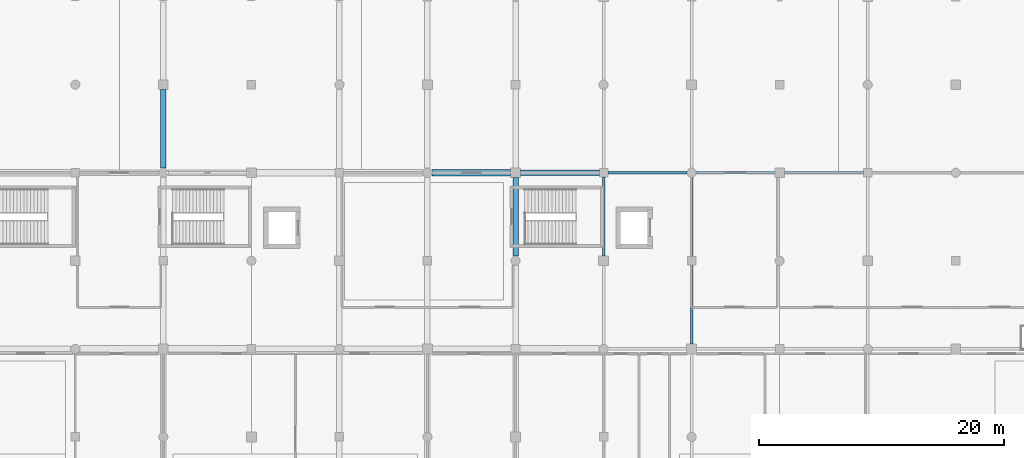
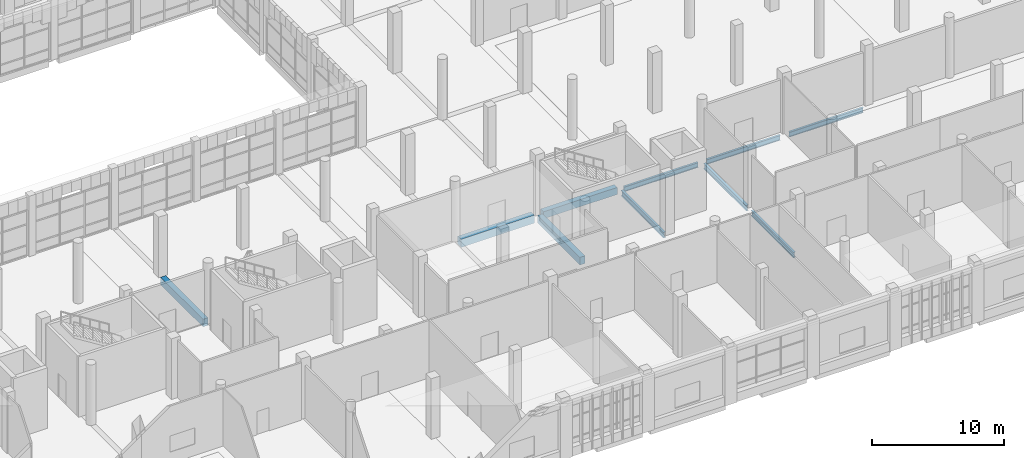
# One storey, part 17 of 80: 10 beams.
"""IFC4 building model written with IfcOpenShell, lengths in metres."""

from ifc_helpers import new_model, si_unit, direction, frame, origin, origin_2d, place, context, subcontext, project, spatial, rectangle, i_section, extrude, material, material_profile, profile_set, type_object, element, save


model = new_model("IFC4")

# Units and contexts
model_context = context("Model", 3, precision=1e-05, world=origin(), true_north=direction((0.0, 1.0)))
body_context = subcontext(model_context, "Body", "Model", "MODEL_VIEW")
ifc_project = project(units=[si_unit("LENGTHUNIT", "METRE"), si_unit("AREAUNIT", "SQUARE_METRE"), si_unit("VOLUMEUNIT", "CUBIC_METRE"), si_unit("PLANEANGLEUNIT", "RADIAN"), si_unit("MASSUNIT", "GRAM", prefix="KILO")], contexts=[model_context])

# Site, building, storey
site_placement = place(None, origin())
site = spatial("IfcSite", under=ifc_project, at=site_placement, CompositionType="ELEMENT")
building_placement = place(site_placement, origin())
building = spatial("IfcBuilding", under=site, at=building_placement, Name="Sardonyx Promenade Sports Hall", CompositionType="ELEMENT")
storey_placement = place(building_placement, frame((0.0, 0.0, 5.60009765625)))
storey = spatial("IfcBuildingStorey", under=building, at=storey_placement, Name="L01", CompositionType="ELEMENT", Elevation=5.60009765625)

# Beams
ifc_material_1 = material(Name="Concrete C40/50", Category="concrete")
ifc_material_profile_1 = material_profile(ifc_material_1, rectangle(XDim=0.5, YDim=0.75, at=origin_2d()))
ifc_profile_set_1 = profile_set([ifc_material_profile_1], Name="Concrete C40/50")
beam_type_1 = type_object("IfcBeamType", Name="Bm_Girder_RC750", PredefinedType="BEAM", material=ifc_profile_set_1)
beam_1_placement = place(storey_placement, frame((93.97509765625, 28.800048828125, -0.375), z_axis=(1.0, 0.0, 0.0), x_axis=(0.0, 1.0, 0.0)))
element("IfcBeam", 1, at=beam_1_placement, inside=storey, type_object=beam_type_1, Name="Beam BG02 L01 #221", PredefinedType="BEAM", context=body_context, shape_type="SweptSolid", body=[
    extrude(rectangle(XDim=0.5, YDim=0.75, at=origin_2d()), origin(), (0.0, 0.0, 1.0), 6.4248046875),
])
ifc_material_2 = material(Name="Steel S355JR", Category="steel")
ifc_material_profile_2 = material_profile(ifc_material_2, i_section(OverallWidth=0.18994140625, OverallDepth=0.453369140625, WebThickness=0.008544921875, FlangeThickness=0.0126953125, at=origin_2d()))
ifc_profile_set_2 = profile_set([ifc_material_profile_2], Name="Steel S355JR")
beam_type_2 = type_object("IfcBeamType", Name="Bm_Girder_UB457", PredefinedType="BEAM", material=ifc_profile_set_2)
beam_2_placement = place(storey_placement, frame((108.35009765625, 28.800048828125, -0.516845703125), z_axis=(1.0, 0.0, 0.0), x_axis=(0.0, 1.0, 0.0)))
element("IfcBeam", 2, at=beam_2_placement, inside=storey, type_object=beam_type_2, Name="Beam SB01 L01 #223", PredefinedType="BEAM", context=body_context, shape_type="SweptSolid", body=[
    extrude(i_section(OverallWidth=0.18994140625, OverallDepth=0.453369140625, WebThickness=0.008544921875, FlangeThickness=0.0126953125, at=origin_2d()), origin(), (0.0, 0.0, 1.0), 6.474853515625),
])
beam_3_placement = place(storey_placement, frame((115.574951171875, 28.800048828125, -0.516845703125), z_axis=(1.0, 0.0, 0.0), x_axis=(0.0, 1.0, 0.0)))
element("IfcBeam", 3, at=beam_3_placement, inside=storey, type_object=beam_type_2, Name="Beam SB01 L01 #224", PredefinedType="BEAM", context=body_context, shape_type="SweptSolid", body=[
    extrude(i_section(OverallWidth=0.18994140625, OverallDepth=0.453369140625, WebThickness=0.008544921875, FlangeThickness=0.0126953125, at=origin_2d()), origin(), (0.0, 0.0, 1.0), 6.425048828125),
])
beam_4_placement = place(storey_placement, frame((122.800048828125, 28.800048828125, -0.516845703125), z_axis=(1.0, 0.0, 0.0), x_axis=(0.0, 1.0, 0.0)))
element("IfcBeam", 4, at=beam_4_placement, inside=storey, type_object=beam_type_2, Name="Beam SB01 L01 #225", PredefinedType="BEAM", context=body_context, shape_type="SweptSolid", body=[
    extrude(i_section(OverallWidth=0.18994140625, OverallDepth=0.453369140625, WebThickness=0.008544921875, FlangeThickness=0.0126953125, at=origin_2d()), origin(), (0.0, 0.0, 1.0), 6.449951171875),
])
ifc_material_3 = material(Name="Steel S355JR", Category="steel")
ifc_material_profile_3 = material_profile(ifc_material_3, i_section(OverallWidth=0.199951171875, OverallDepth=0.5, WebThickness=0.01025390625, FlangeThickness=0.01611328125, at=origin_2d()))
ifc_profile_set_3 = profile_set([ifc_material_profile_3], Name="Steel S355JR")
beam_type_3 = type_object("IfcBeamType", Name="Bm_Primary_IPE500", PredefinedType="BEAM", material=ifc_profile_set_3)
for number, where, z_axis, x_axis, name in (
    (5, (108.0, 22.0, -0.530029296875), (0.0, 1.0, 0.0), (-1.0, 0.0, 0.0), "Beam SB06 L01 #381"),
    (6, (115.199951171875, 14.800048828125, -0.530029296875), (0.0, 1.0, 0.0), (-1.0, 0.0, 0.0), "Beam SB06 L01 #394"),
):
    element("IfcBeam", number, at=place(storey_placement, frame(where, z_axis=z_axis, x_axis=x_axis)), inside=storey, type_object=beam_type_3, Name=name, PredefinedType="BEAM", context=body_context, shape_type="SweptSolid", body=[
        extrude(i_section(OverallWidth=0.199951171875, OverallDepth=0.5, WebThickness=0.01025390625, FlangeThickness=0.01611328125, at=origin_2d()), origin(), (0.0, 0.0, 1.0), 6.449951171875),
    ])
beam_5_placement = place(storey_placement, frame((115.199951171875, 21.949951171875, -0.530029296875), z_axis=(0.0, 1.0, 0.0), x_axis=(-1.0, 0.0, 0.0)))
element("IfcBeam", 7, at=beam_5_placement, inside=storey, type_object=beam_type_3, Name="Beam SB06 L01 #395", PredefinedType="BEAM", context=body_context, shape_type="SweptSolid", body=[
    extrude(i_section(OverallWidth=0.199951171875, OverallDepth=0.5, WebThickness=0.01025390625, FlangeThickness=0.01611328125, at=origin_2d()), origin(), (0.0, 0.0, 1.0), 6.47509765625),
])
ifc_material_4 = material(Name="Concrete C40/50", Category="concrete")
ifc_material_profile_4 = material_profile(ifc_material_4, rectangle(XDim=0.449951171875, YDim=0.64990234375, at=origin_2d()))
ifc_profile_set_4 = profile_set([ifc_material_profile_4], Name="Concrete C40/50")
beam_type_4 = type_object("IfcBeamType", Name="Bm_Primary_RC650", PredefinedType="BEAM", material=ifc_profile_set_4)
beam_6_placement = place(storey_placement, frame((101.199951171875, 28.800048828125, -0.3251953125), z_axis=(1.0, 0.0, 0.0), x_axis=(0.0, 1.0, 0.0)))
element("IfcBeam", 8, at=beam_6_placement, inside=storey, type_object=beam_type_4, Name="Beam BG05 L01 #222", PredefinedType="BEAM", context=body_context, shape_type="SweptSolid", body=[
    extrude(rectangle(XDim=0.449951171875, YDim=0.64990234375, at=origin_2d()), origin(), (0.0, 0.0, 1.0), 6.449951171875),
])
ifc_material_5 = material(Name="Concrete C40/50", Category="concrete")
ifc_material_profile_5 = material_profile(ifc_material_5, rectangle(XDim=0.449951171875, YDim=0.699951171875, at=origin_2d()))
ifc_profile_set_5 = profile_set([ifc_material_profile_5], Name="Concrete C40/50")
beam_type_5 = type_object("IfcBeamType", Name="Bm_Primary_RC700", PredefinedType="BEAM", material=ifc_profile_set_5)
beam_7_placement = place(storey_placement, frame((72.0, 29.175048828125, -0.35009765625), z_axis=(0.0, 1.0, 0.0), x_axis=(-1.0, 0.0, 0.0)))
element("IfcBeam", 9, at=beam_7_placement, inside=storey, type_object=beam_type_5, Name="Beam BG01 L01 #343", PredefinedType="BEAM", context=body_context, shape_type="SweptSolid", body=[
    extrude(rectangle(XDim=0.449951171875, YDim=0.699951171875, at=origin_2d()), origin(), (0.0, 0.0, 1.0), 6.425048828125),
])
beam_8_placement = place(storey_placement, frame((100.800048828125, 21.97509765625, -0.35009765625), z_axis=(0.0, 1.0, 0.0), x_axis=(-1.0, 0.0, 0.0)))
element("IfcBeam", 10, at=beam_8_placement, inside=storey, type_object=beam_type_5, Name="Beam BG01 L01 #371", PredefinedType="BEAM", context=body_context, shape_type="SweptSolid", body=[
    extrude(rectangle(XDim=0.449951171875, YDim=0.699951171875, at=origin_2d()), origin(), (0.0, 0.0, 1.0), 6.4248046875),
])

save(model, "model.ifc")
